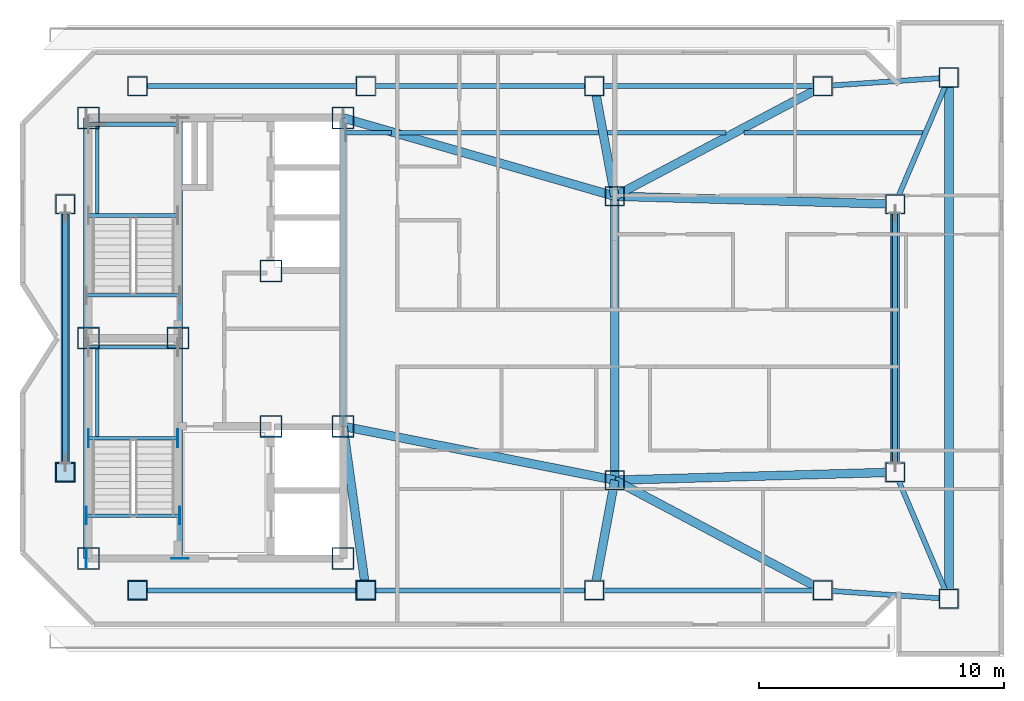
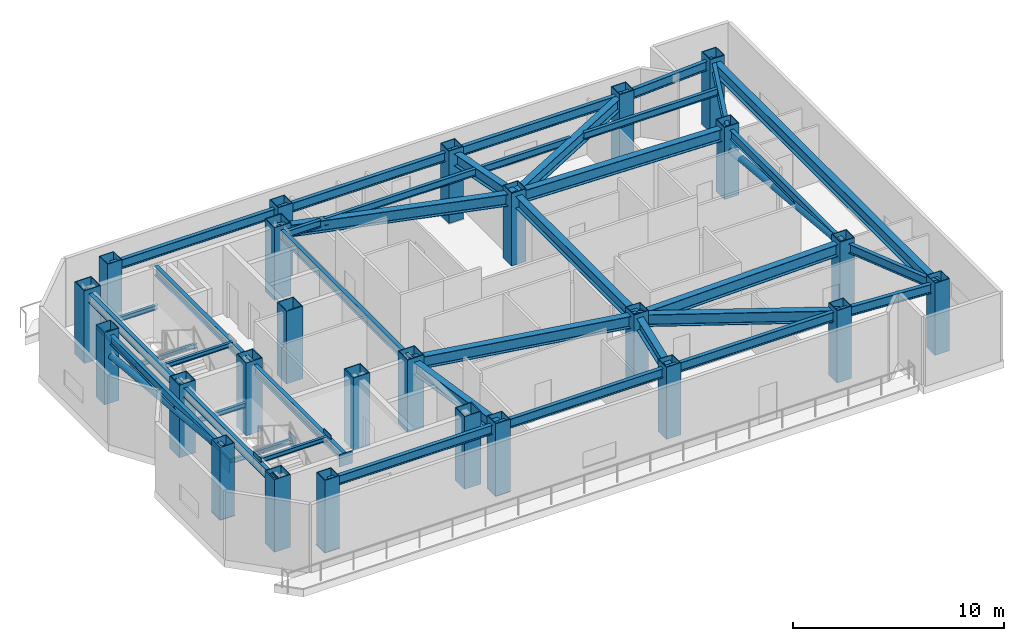
# One storey, part 1 of 10: 40 beams, 25 columns, 9 plates, 2 members.
"""IFC4 building model written with IfcOpenShell, lengths in metres."""

from ifc_helpers import new_model, si_unit, direction, frame, origin, origin_2d, place, context, subcontext, project, spatial, rectangle, hollow_rectangle, hollow_circle, i_section, extrude, material, layer, layer_set, material_profile, profile_set, type_object, element, save


model = new_model("IFC4")

# Units and contexts
model_context = context("Model", 3, precision=1e-05, world=origin(), true_north=direction((0.0, 1.0)))
body_context = subcontext(model_context, "Body", "Model", "MODEL_VIEW")
ifc_project = project(units=[si_unit("LENGTHUNIT", "METRE"), si_unit("AREAUNIT", "SQUARE_METRE"), si_unit("VOLUMEUNIT", "CUBIC_METRE"), si_unit("PLANEANGLEUNIT", "RADIAN"), si_unit("MASSUNIT", "GRAM", prefix="KILO")], contexts=[model_context])

# Site, building, storey
site_placement = place(None, origin())
site = spatial("IfcSite", under=ifc_project, at=site_placement, CompositionType="ELEMENT")
building_placement = place(site_placement, origin())
building = spatial("IfcBuilding", under=site, at=building_placement, Name="Khamvora Tower", CompositionType="ELEMENT")
storey_placement = place(building_placement, frame((0.0, 0.0, 294.64990234375)))
storey = spatial("IfcBuildingStorey", under=building, at=storey_placement, Name="L75", CompositionType="ELEMENT", Elevation=294.64990234375)

# Columns
ifc_material_1 = material(Name="Steel S355", Category="steel")
ifc_material_profile_1 = material_profile(ifc_material_1, hollow_rectangle(XDim=0.800048828125, YDim=0.800048828125, WallThickness=0.0400390625, at=origin_2d()), Name="BOX800x800x40")
ifc_profile_set_1 = profile_set([ifc_material_profile_1], Name="Steel S355")
column_type_1 = type_object("IfcColumnType", Name="COL-BOX800", PredefinedType="COLUMN", material=ifc_profile_set_1)
for number, where, z_axis, x_axis, name in (
    (1, (31.0, 17.699951171875, 0.025146484375), (0.0, 0.0, 1.0), (1.0, 0.0, 0.0), "L75 structural frame column S1"),
    (2, (40.3330078125, 17.699951171875, 0.025146484375), (0.0, 0.0, 1.0), (1.0, 0.0, 0.0), "L75 structural frame column S2"),
    (3, (49.6669921875, 17.699951171875, 0.025146484375), (0.0, 0.0, 1.0), (1.0, 0.0, 0.0), "L75 structural frame column S3"),
    (4, (59.0, 17.699951171875, 0.025146484375), (0.0, 0.0, 1.0), (1.0, 0.0, 0.0), "L75 structural frame column S4"),
    (5, (31.0, 38.300048828125, 0.025146484375), (0.0, 0.0, 1.0), (1.0, 0.0, 0.0), "L75 structural frame column N1"),
    (6, (40.3330078125, 38.300048828125, 0.025146484375), (0.0, 0.0, 1.0), (1.0, 0.0, 0.0), "L75 structural frame column N2"),
    (7, (49.6669921875, 38.300048828125, 0.025146484375), (0.0, 0.0, 1.0), (1.0, 0.0, 0.0), "L75 structural frame column N3"),
    (8, (59.0, 38.300048828125, 0.025146484375), (0.0, 0.0, 1.0), (1.0, 0.0, 0.0), "L75 structural frame column N4"),
    (9, (28.050048828125, 22.52490234375, 0.025146484375), (0.0, 0.0, 1.0), (1.0, 0.0, 0.0), "L75 structural frame column W1"),
    (10, (28.050048828125, 33.47509765625, 0.025146484375), (0.0, 0.0, 1.0), (1.0, 0.0, 0.0), "L75 structural frame column W2"),
    (11, (61.949951171875, 22.52490234375, 0.025146484375), (0.0, 0.0, 1.0), (1.0, 0.0, 0.0), "L75 structural frame column E1"),
    (12, (61.949951171875, 33.47509765625, 0.025146484375), (0.0, 0.0, 1.0), (1.0, 0.0, 0.0), "L75 structural frame column E2"),
):
    element("IfcColumn", number, at=place(storey_placement, frame(where, z_axis=z_axis, x_axis=x_axis)), inside=storey, type_object=column_type_1, Name=name, PredefinedType="COLUMN", context=body_context, shape_type="SweptSolid", body=[
        extrude(hollow_rectangle(XDim=0.800048828125, YDim=0.800048828125, WallThickness=0.0400390625, at=origin_2d()), origin(), (0.0, 0.0, 1.0), 4.175048828125),
    ])
for number, where, z_axis, x_axis, name in (
    (13, (50.5, 22.199951171875, 0.0), (0.0, 0.0, 1.0), (1.0, 0.0, 0.0), "L75 structural frame column M1"),
    (14, (50.5, 33.800048828125, 0.0), (0.0, 0.0, 1.0), (1.0, 0.0, 0.0), "L75 structural frame column M2"),
):
    element("IfcColumn", number, at=place(storey_placement, frame(where, z_axis=z_axis, x_axis=x_axis)), inside=storey, type_object=column_type_1, Name=name, PredefinedType="COLUMN", context=body_context, shape_type="SweptSolid", body=[
        extrude(hollow_rectangle(XDim=0.800048828125, YDim=0.800048828125, WallThickness=0.0400390625, at=origin_2d()), origin(), (0.0, 0.0, 1.0), 4.2001953125),
    ])
for number, where, z_axis, x_axis, name in (
    (15, (64.14990234375, 17.35009765625, 0.025146484375), (0.0, 0.0, 1.0), (1.0, 0.0, 0.0), "L75 structural frame column EC1"),
    (16, (64.14990234375, 38.64990234375, 0.025146484375), (0.0, 0.0, 1.0), (1.0, 0.0, 0.0), "L75 structural frame column EC2"),
):
    element("IfcColumn", number, at=place(storey_placement, frame(where, z_axis=z_axis, x_axis=x_axis)), inside=storey, type_object=column_type_1, Name=name, PredefinedType="COLUMN", context=body_context, shape_type="SweptSolid", body=[
        extrude(hollow_rectangle(XDim=0.800048828125, YDim=0.800048828125, WallThickness=0.0400390625, at=origin_2d()), origin(), (0.0, 0.0, 1.0), 4.175048828125),
    ])
ifc_material_2 = material(Name="Structural Steel S460ML", Category="steel")
ifc_material_profile_2 = material_profile(ifc_material_2, hollow_rectangle(XDim=0.89990234375, YDim=0.89990234375, WallThickness=0.044921875, at=origin_2d()), Name="BOX900x900x45")
ifc_profile_set_2 = profile_set([ifc_material_profile_2], Name="Structural Steel S460ML")
column_type_2 = type_object("IfcColumnType", Name="COL-SC-BOX900", PredefinedType="COLUMN", material=ifc_profile_set_2)
for number, where, z_axis, x_axis, name in (
    (17, (29.0, 19.0, 0.0), (0.0, 0.0, 1.0), (1.0, 0.0, 0.0), "L75 plumb core spine column SC1"),
    (18, (32.64990234375, 28.0, 0.0), (0.0, 0.0, 1.0), (1.0, 0.0, 0.0), "L75 plumb core spine column SC2"),
    (19, (39.39990234375, 19.0, 0.0), (0.0, 0.0, 1.0), (1.0, 0.0, 0.0), "L75 plumb core spine column SC3"),
    (20, (29.0, 28.0, 0.0), (0.0, 0.0, 1.0), (1.0, 0.0, 0.0), "L75 plumb core spine column SC4"),
    (21, (36.449951171875, 24.39990234375, 0.0), (0.0, 0.0, 1.0), (1.0, 0.0, 0.0), "L75 plumb core spine column SC5"),
    (22, (39.39990234375, 24.39990234375, 0.0), (0.0, 0.0, 1.0), (1.0, 0.0, 0.0), "L75 plumb core spine column SC6"),
    (23, (29.0, 37.0, 0.0), (0.0, 0.0, 1.0), (1.0, 0.0, 0.0), "L75 plumb core spine column SC7"),
    (24, (36.449951171875, 30.75, 0.0), (0.0, 0.0, 1.0), (1.0, 0.0, 0.0), "L75 plumb core spine column SC8"),
    (25, (39.39990234375, 37.0, 0.0), (0.0, 0.0, 1.0), (1.0, 0.0, 0.0), "L75 plumb core spine column SC9"),
):
    element("IfcColumn", number, at=place(storey_placement, frame(where, z_axis=z_axis, x_axis=x_axis)), inside=storey, type_object=column_type_2, Name=name, PredefinedType="COLUMN", context=body_context, shape_type="SweptSolid", body=[
        extrude(hollow_rectangle(XDim=0.89990234375, YDim=0.89990234375, WallThickness=0.044921875, at=origin_2d()), origin(), (0.0, 0.0, 1.0), 4.2001953125),
    ])

# Beams
ifc_material_profile_3 = material_profile(ifc_material_1, i_section(OverallWidth=0.177978515625, OverallDepth=0.406982421875, WebThickness=0.008056640625, FlangeThickness=0.012939453125, FilletRadius=0.010009765625, at=origin_2d()), Name="W410x60")
ifc_profile_set_3 = profile_set([ifc_material_profile_3], Name="Steel S355")
beam_type_1 = type_object("IfcBeamType", Name="BM-JS-W410x60", PredefinedType="JOIST", material=ifc_profile_set_3)
beam_1_placement = place(storey_placement, frame((39.4990234375, 36.39990234375, 3.7470703125), z_axis=(1.0, 0.0, 0.0), x_axis=(0.0, 1.0, 0.0)))
element("IfcBeam", 26, at=beam_1_placement, inside=storey, type_object=beam_type_1, Name="L75 secondary floor joist 04", PredefinedType="JOIST", context=body_context, shape_type="SweptSolid", body=[
    extrude(i_section(OverallWidth=0.177978515625, OverallDepth=0.406982421875, WebThickness=0.008056640625, FlangeThickness=0.012939453125, FilletRadius=0.010009765625, at=origin_2d()), origin(), (0.0, 0.0, 1.0), 1.886962890625),
])
beam_2_placement = place(storey_placement, frame((41.575927734375, 36.39990234375, 3.7470703125), z_axis=(1.0, 0.0, 0.0), x_axis=(0.0, 1.0, 0.0)))
element("IfcBeam", 27, at=beam_2_placement, inside=storey, type_object=beam_type_1, Name="L75 secondary floor joist 05", PredefinedType="JOIST", context=body_context, shape_type="SweptSolid", body=[
    extrude(i_section(OverallWidth=0.177978515625, OverallDepth=0.406982421875, WebThickness=0.008056640625, FlangeThickness=0.012939453125, FilletRadius=0.010009765625, at=origin_2d()), origin(), (0.0, 0.0, 1.0), 8.26708984375),
])
beam_3_placement = place(storey_placement, frame((50.194091796875, 36.39990234375, 3.7470703125), z_axis=(1.0, 0.0, 0.0), x_axis=(0.0, 1.0, 0.0)))
element("IfcBeam", 28, at=beam_3_placement, inside=storey, type_object=beam_type_1, Name="L75 secondary floor joist 06", PredefinedType="JOIST", context=body_context, shape_type="SweptSolid", body=[
    extrude(i_section(OverallWidth=0.177978515625, OverallDepth=0.406982421875, WebThickness=0.008056640625, FlangeThickness=0.012939453125, FilletRadius=0.010009765625, at=origin_2d()), origin(), (0.0, 0.0, 1.0), 4.843017578125),
])
beam_4_placement = place(storey_placement, frame((55.784912109375, 36.39990234375, 3.7470703125), z_axis=(1.0, 0.0, 0.0), x_axis=(0.0, 1.0, 0.0)))
element("IfcBeam", 29, at=beam_4_placement, inside=storey, type_object=beam_type_1, Name="L75 secondary floor joist 07", PredefinedType="JOIST", context=body_context, shape_type="SweptSolid", body=[
    extrude(i_section(OverallWidth=0.177978515625, OverallDepth=0.406982421875, WebThickness=0.008056640625, FlangeThickness=0.012939453125, FilletRadius=0.010009765625, at=origin_2d()), origin(), (0.0, 0.0, 1.0), 7.300048828125),
])
ifc_material_profile_4 = material_profile(ifc_material_1, i_section(OverallWidth=0.14697265625, OverallDepth=0.261962890625, WebThickness=0.007080078125, FlangeThickness=0.010986328125, FilletRadius=0.008056640625, at=origin_2d()), Name="W250x39")
ifc_profile_set_4 = profile_set([ifc_material_profile_4], Name="Steel S355")
beam_type_2 = type_object("IfcBeamType", Name="BM-LN-W250x39", PredefinedType="LINTEL", material=ifc_profile_set_4)
for number, where, z_axis, x_axis, name in (
    (30, (29.0, 23.9150390625, 1.76904296875), (1.0, 0.0, 0.0), (0.0, 1.0, 0.0), "L75 ST-01 half-landing support beam 1.1"),
    (31, (29.0, 27.6298828125, 1.76904296875), (1.0, 0.0, 0.0), (0.0, 1.0, 0.0), "L75 ST-01 half-landing support beam 1.2"),
):
    element("IfcBeam", number, at=place(storey_placement, frame(where, z_axis=z_axis, x_axis=x_axis)), inside=storey, type_object=beam_type_2, Name=name, PredefinedType="LINTEL", context=body_context, shape_type="SweptSolid", body=[
        extrude(i_section(OverallWidth=0.14697265625, OverallDepth=0.261962890625, WebThickness=0.007080078125, FlangeThickness=0.010986328125, FilletRadius=0.008056640625, at=origin_2d()), origin(), (0.0, 0.0, 1.0), 3.64990234375),
    ])
beam_5_placement = place(storey_placement, frame((29.35009765625, 23.9150390625, 1.76904296875), z_axis=(0.0, 1.0, 0.0), x_axis=(-1.0, 0.0, 0.0)))
element("IfcBeam", 32, at=beam_5_placement, inside=storey, type_object=beam_type_2, Name="L75 ST-01 half-landing edge stringer 1", PredefinedType="LINTEL", context=body_context, shape_type="SweptSolid", body=[
    extrude(i_section(OverallWidth=0.14697265625, OverallDepth=0.261962890625, WebThickness=0.007080078125, FlangeThickness=0.010986328125, FilletRadius=0.008056640625, at=origin_2d()), origin(), (0.0, 0.0, 1.0), 3.71484375),
])
for number, where, z_axis, x_axis, name in (
    (33, (29.0, 33.014892578125, 1.76904296875), (1.0, 0.0, 0.0), (0.0, 1.0, 0.0), "L75 ST-02 half-landing support beam 1.1"),
    (34, (29.0, 36.72998046875, 1.76904296875), (1.0, 0.0, 0.0), (0.0, 1.0, 0.0), "L75 ST-02 half-landing support beam 1.2"),
):
    element("IfcBeam", number, at=place(storey_placement, frame(where, z_axis=z_axis, x_axis=x_axis)), inside=storey, type_object=beam_type_2, Name=name, PredefinedType="LINTEL", context=body_context, shape_type="SweptSolid", body=[
        extrude(i_section(OverallWidth=0.14697265625, OverallDepth=0.261962890625, WebThickness=0.007080078125, FlangeThickness=0.010986328125, FilletRadius=0.008056640625, at=origin_2d()), origin(), (0.0, 0.0, 1.0), 3.64990234375),
    ])
beam_6_placement = place(storey_placement, frame((29.35009765625, 33.014892578125, 1.76904296875), z_axis=(0.0, 1.0, 0.0), x_axis=(-1.0, 0.0, 0.0)))
element("IfcBeam", 35, at=beam_6_placement, inside=storey, type_object=beam_type_2, Name="L75 ST-02 half-landing edge stringer 1", PredefinedType="LINTEL", context=body_context, shape_type="SweptSolid", body=[
    extrude(i_section(OverallWidth=0.14697265625, OverallDepth=0.261962890625, WebThickness=0.007080078125, FlangeThickness=0.010986328125, FilletRadius=0.008056640625, at=origin_2d()), origin(), (0.0, 0.0, 1.0), 3.715087890625),
])
for number, where, z_axis, x_axis, name in (
    (36, (28.89990234375, 20.75, 3.82421875), (1.0, 0.0, 0.0), (0.0, 1.0, 0.0), "L75 exit stair ST-01 landing trimmer beam"),
    (37, (28.89990234375, 29.75, 3.82421875), (1.0, 0.0, 0.0), (0.0, 1.0, 0.0), "L75 exit stair ST-02 landing trimmer beam"),
):
    element("IfcBeam", number, at=place(storey_placement, frame(where, z_axis=z_axis, x_axis=x_axis)), inside=storey, type_object=beam_type_2, Name=name, PredefinedType="LINTEL", context=body_context, shape_type="SweptSolid", body=[
        extrude(i_section(OverallWidth=0.14697265625, OverallDepth=0.261962890625, WebThickness=0.007080078125, FlangeThickness=0.010986328125, FilletRadius=0.008056640625, at=origin_2d()), origin(), (0.0, 0.0, 1.0), 3.830078125),
    ])
ifc_material_profile_5 = material_profile(ifc_material_1, i_section(OverallWidth=0.35498046875, OverallDepth=0.695068359375, WebThickness=0.014892578125, FlangeThickness=0.02490234375, FilletRadius=0.01611328125, at=origin_2d()), Name="W690x217")
ifc_profile_set_5 = profile_set([ifc_material_profile_5], Name="Steel S355")
beam_type_3 = type_object("IfcBeamType", Name="BM-PG-W690x217", PredefinedType="BEAM", material=ifc_profile_set_5)
beam_7_placement = place(storey_placement, frame((50.5, 22.199951171875, 3.60205078125), z_axis=(0.0, 1.0, 0.0), x_axis=(-1.0, 0.0, 0.0)))
element("IfcBeam", 38, at=beam_7_placement, inside=storey, type_object=beam_type_3, Name="L75 longitudinal frame girder M1-M2", PredefinedType="BEAM", context=body_context, shape_type="SweptSolid", body=[
    extrude(i_section(OverallWidth=0.35498046875, OverallDepth=0.695068359375, WebThickness=0.014892578125, FlangeThickness=0.02490234375, FilletRadius=0.01611328125, at=origin_2d()), origin(), (0.0, 0.0, 1.0), 11.60009765625),
])
beam_8_placement = place(storey_placement, frame((64.14990234375, 17.35009765625, 3.60205078125), z_axis=(0.0, 1.0, 0.0), x_axis=(-1.0, 0.0, 0.0)))
element("IfcBeam", 39, at=beam_8_placement, inside=storey, type_object=beam_type_3, Name="L75 longitudinal frame girder EC1-EC2", PredefinedType="BEAM", context=body_context, shape_type="SweptSolid", body=[
    extrude(i_section(OverallWidth=0.35498046875, OverallDepth=0.695068359375, WebThickness=0.014892578125, FlangeThickness=0.02490234375, FilletRadius=0.01611328125, at=origin_2d()), origin(), (0.0, 0.0, 1.0), 21.2998046875),
])
beam_9_placement = place(storey_placement, frame((39.39990234375, 24.39990234375, 3.60205078125), z_axis=(0.1379391601, -0.990440703985, 0.0), x_axis=(0.990440703985, 0.1379391601, 0.0)))
element("IfcBeam", 40, at=beam_9_placement, inside=storey, type_object=beam_type_3, Name="L75 primary floor girder S2", PredefinedType="BEAM", context=body_context, shape_type="SweptSolid", body=[
    extrude(i_section(OverallWidth=0.35498046875, OverallDepth=0.695068359375, WebThickness=0.014892578125, FlangeThickness=0.02490234375, FilletRadius=0.01611328125, at=origin_2d()), origin(), (0.0, 0.0, 1.0), 6.7646484375),
])
beam_10_placement = place(storey_placement, frame((50.5, 22.199951171875, 3.60205078125), z_axis=(-0.182020488605, -0.983294737974, 0.0), x_axis=(0.983294737974, -0.182020488605, 0.0)))
element("IfcBeam", 41, at=beam_10_placement, inside=storey, type_object=beam_type_3, Name="L75 primary floor girder S3", PredefinedType="BEAM", context=body_context, shape_type="SweptSolid", body=[
    extrude(i_section(OverallWidth=0.35498046875, OverallDepth=0.695068359375, WebThickness=0.014892578125, FlangeThickness=0.02490234375, FilletRadius=0.01611328125, at=origin_2d()), origin(), (0.0, 0.0, 1.0), 4.576416015625),
])
beam_11_placement = place(storey_placement, frame((50.5, 22.199951171875, 3.60205078125), z_axis=(0.883787916347, -0.467887720419, 0.0), x_axis=(0.467887720419, 0.883787916347, 0.0)))
element("IfcBeam", 42, at=beam_11_placement, inside=storey, type_object=beam_type_3, Name="L75 primary floor girder S4", PredefinedType="BEAM", context=body_context, shape_type="SweptSolid", body=[
    extrude(i_section(OverallWidth=0.35498046875, OverallDepth=0.695068359375, WebThickness=0.014892578125, FlangeThickness=0.02490234375, FilletRadius=0.01611328125, at=origin_2d()), origin(), (0.0, 0.0, 1.0), 9.61767578125),
])
beam_12_placement = place(storey_placement, frame((50.5, 33.800048828125, 3.60205078125), z_axis=(-0.182020488605, 0.983294737974, 0.0), x_axis=(-0.983294737974, -0.182020488605, 0.0)))
element("IfcBeam", 43, at=beam_12_placement, inside=storey, type_object=beam_type_3, Name="L75 primary floor girder N3", PredefinedType="BEAM", context=body_context, shape_type="SweptSolid", body=[
    extrude(i_section(OverallWidth=0.35498046875, OverallDepth=0.695068359375, WebThickness=0.014892578125, FlangeThickness=0.02490234375, FilletRadius=0.01611328125, at=origin_2d()), origin(), (0.0, 0.0, 1.0), 4.576416015625),
])
beam_13_placement = place(storey_placement, frame((50.5, 33.800048828125, 3.60205078125), z_axis=(0.883787916347, 0.467887720419, 0.0), x_axis=(-0.467887720419, 0.883787916347, 0.0)))
element("IfcBeam", 44, at=beam_13_placement, inside=storey, type_object=beam_type_3, Name="L75 primary floor girder N4", PredefinedType="BEAM", context=body_context, shape_type="SweptSolid", body=[
    extrude(i_section(OverallWidth=0.35498046875, OverallDepth=0.695068359375, WebThickness=0.014892578125, FlangeThickness=0.02490234375, FilletRadius=0.01611328125, at=origin_2d()), origin(), (0.0, 0.0, 1.0), 9.61767578125),
])
for number, where, z_axis, x_axis, name in (
    (45, (50.5, 22.199951171875, 3.60205078125), (0.999597527046, 0.0283687138, 0.0), (-0.0283687138, 0.999597527046, 0.0), "L75 primary floor girder E1"),
    (46, (50.5, 33.800048828125, 3.60205078125), (0.999597527046, -0.0283687138, 0.0), (0.0283687138, 0.999597527046, 0.0), "L75 primary floor girder E2"),
):
    element("IfcBeam", number, at=place(storey_placement, frame(where, z_axis=z_axis, x_axis=x_axis)), inside=storey, type_object=beam_type_3, Name=name, PredefinedType="BEAM", context=body_context, shape_type="SweptSolid", body=[
        extrude(i_section(OverallWidth=0.35498046875, OverallDepth=0.695068359375, WebThickness=0.014892578125, FlangeThickness=0.02490234375, FilletRadius=0.01611328125, at=origin_2d()), origin(), (0.0, 0.0, 1.0), 11.45458984375),
    ])
beam_14_placement = place(storey_placement, frame((39.39990234375, 24.39990234375, 3.60205078125), z_axis=(0.980920240909, -0.194410598927, 0.0), x_axis=(0.194410598927, 0.980920240909, 0.0)))
element("IfcBeam", 47, at=beam_14_placement, inside=storey, type_object=beam_type_3, Name="L75 primary floor girder M1", PredefinedType="BEAM", context=body_context, shape_type="SweptSolid", body=[
    extrude(i_section(OverallWidth=0.35498046875, OverallDepth=0.695068359375, WebThickness=0.014892578125, FlangeThickness=0.02490234375, FilletRadius=0.01611328125, at=origin_2d()), origin(), (0.0, 0.0, 1.0), 11.31591796875),
])
beam_15_placement = place(storey_placement, frame((39.39990234375, 37.0, 3.60205078125), z_axis=(0.960869684076, -0.277000812677, 0.0), x_axis=(0.277000812677, 0.960869684076, 0.0)))
element("IfcBeam", 48, at=beam_15_placement, inside=storey, type_object=beam_type_3, Name="L75 primary floor girder M2", PredefinedType="BEAM", context=body_context, shape_type="SweptSolid", body=[
    extrude(i_section(OverallWidth=0.35498046875, OverallDepth=0.695068359375, WebThickness=0.014892578125, FlangeThickness=0.02490234375, FilletRadius=0.01611328125, at=origin_2d()), origin(), (0.0, 0.0, 1.0), 11.55224609375),
])
ifc_material_profile_6 = material_profile(ifc_material_1, i_section(OverallWidth=0.208984375, OverallDepth=0.532958984375, WebThickness=0.010009765625, FlangeThickness=0.01611328125, FilletRadius=0.013916015625, at=origin_2d()), Name="W530x92")
ifc_profile_set_6 = profile_set([ifc_material_profile_6], Name="Steel S355")
beam_type_4 = type_object("IfcBeamType", Name="BM-SP-W530x92", PredefinedType="SPANDREL", material=ifc_profile_set_6)
beam_16_placement = place(storey_placement, frame((31.0, 17.699951171875, 3.68408203125), z_axis=(1.0, 0.0, 0.0), x_axis=(0.0, 1.0, 0.0)))
element("IfcBeam", 49, at=beam_16_placement, inside=storey, type_object=beam_type_4, Name="L75 perimeter spandrel beam S1-S2", PredefinedType="SPANDREL", context=body_context, shape_type="SweptSolid", body=[
    extrude(i_section(OverallWidth=0.208984375, OverallDepth=0.532958984375, WebThickness=0.010009765625, FlangeThickness=0.01611328125, FilletRadius=0.013916015625, at=origin_2d()), origin(), (0.0, 0.0, 1.0), 9.3330078125),
])
beam_17_placement = place(storey_placement, frame((40.3330078125, 17.699951171875, 3.68408203125), z_axis=(1.0, 0.0, 0.0), x_axis=(0.0, 1.0, 0.0)))
element("IfcBeam", 50, at=beam_17_placement, inside=storey, type_object=beam_type_4, Name="L75 perimeter spandrel beam S2-S3", PredefinedType="SPANDREL", context=body_context, shape_type="SweptSolid", body=[
    extrude(i_section(OverallWidth=0.208984375, OverallDepth=0.532958984375, WebThickness=0.010009765625, FlangeThickness=0.01611328125, FilletRadius=0.013916015625, at=origin_2d()), origin(), (0.0, 0.0, 1.0), 9.333984375),
])
beam_18_placement = place(storey_placement, frame((49.6669921875, 17.699951171875, 3.68408203125), z_axis=(1.0, 0.0, 0.0), x_axis=(0.0, 1.0, 0.0)))
element("IfcBeam", 51, at=beam_18_placement, inside=storey, type_object=beam_type_4, Name="L75 perimeter spandrel beam S3-S4", PredefinedType="SPANDREL", context=body_context, shape_type="SweptSolid", body=[
    extrude(i_section(OverallWidth=0.208984375, OverallDepth=0.532958984375, WebThickness=0.010009765625, FlangeThickness=0.01611328125, FilletRadius=0.013916015625, at=origin_2d()), origin(), (0.0, 0.0, 1.0), 9.3330078125),
])
beam_19_placement = place(storey_placement, frame((59.0, 17.699951171875, 3.68408203125), z_axis=(0.997700441509, -0.067777791442, 0.0), x_axis=(0.067777791442, 0.997700441509, 0.0)))
element("IfcBeam", 52, at=beam_19_placement, inside=storey, type_object=beam_type_4, Name="L75 perimeter spandrel beam S4-EC1", PredefinedType="SPANDREL", context=body_context, shape_type="SweptSolid", body=[
    extrude(i_section(OverallWidth=0.208984375, OverallDepth=0.532958984375, WebThickness=0.010009765625, FlangeThickness=0.01611328125, FilletRadius=0.013916015625, at=origin_2d()), origin(), (0.0, 0.0, 1.0), 5.161865234375),
])
beam_20_placement = place(storey_placement, frame((64.14990234375, 17.35009765625, 3.68408203125), z_axis=(-0.391239931832, 0.920288713252, 0.0), x_axis=(-0.920288713252, -0.391239931832, 0.0)))
element("IfcBeam", 53, at=beam_20_placement, inside=storey, type_object=beam_type_4, Name="L75 perimeter spandrel beam EC1-E1", PredefinedType="SPANDREL", context=body_context, shape_type="SweptSolid", body=[
    extrude(i_section(OverallWidth=0.208984375, OverallDepth=0.532958984375, WebThickness=0.010009765625, FlangeThickness=0.01611328125, FilletRadius=0.013916015625, at=origin_2d()), origin(), (0.0, 0.0, 1.0), 5.623046875),
])
beam_21_placement = place(storey_placement, frame((61.949951171875, 22.52490234375, 3.68408203125), z_axis=(0.0, 1.0, 0.0), x_axis=(-1.0, 0.0, 0.0)))
element("IfcBeam", 54, at=beam_21_placement, inside=storey, type_object=beam_type_4, Name="L75 perimeter spandrel beam E1-E2", PredefinedType="SPANDREL", context=body_context, shape_type="SweptSolid", body=[
    extrude(i_section(OverallWidth=0.208984375, OverallDepth=0.532958984375, WebThickness=0.010009765625, FlangeThickness=0.01611328125, FilletRadius=0.013916015625, at=origin_2d()), origin(), (0.0, 0.0, 1.0), 10.9501953125),
])
beam_22_placement = place(storey_placement, frame((61.949951171875, 33.47509765625, 3.68408203125), z_axis=(0.391239931832, 0.920288713252, 0.0), x_axis=(-0.920288713252, 0.391239931832, 0.0)))
element("IfcBeam", 55, at=beam_22_placement, inside=storey, type_object=beam_type_4, Name="L75 perimeter spandrel beam E2-EC2", PredefinedType="SPANDREL", context=body_context, shape_type="SweptSolid", body=[
    extrude(i_section(OverallWidth=0.208984375, OverallDepth=0.532958984375, WebThickness=0.010009765625, FlangeThickness=0.01611328125, FilletRadius=0.013916015625, at=origin_2d()), origin(), (0.0, 0.0, 1.0), 5.623046875),
])
beam_23_placement = place(storey_placement, frame((64.14990234375, 38.64990234375, 3.68408203125), z_axis=(-0.997700441509, -0.067777791442, 0.0), x_axis=(0.067777791442, -0.997700441509, 0.0)))
element("IfcBeam", 56, at=beam_23_placement, inside=storey, type_object=beam_type_4, Name="L75 perimeter spandrel beam EC2-N4", PredefinedType="SPANDREL", context=body_context, shape_type="SweptSolid", body=[
    extrude(i_section(OverallWidth=0.208984375, OverallDepth=0.532958984375, WebThickness=0.010009765625, FlangeThickness=0.01611328125, FilletRadius=0.013916015625, at=origin_2d()), origin(), (0.0, 0.0, 1.0), 5.161865234375),
])
beam_24_placement = place(storey_placement, frame((59.0, 38.300048828125, 3.68408203125), z_axis=(-1.0, 0.0, 0.0), x_axis=(0.0, -1.0, 0.0)))
element("IfcBeam", 57, at=beam_24_placement, inside=storey, type_object=beam_type_4, Name="L75 perimeter spandrel beam N4-N3", PredefinedType="SPANDREL", context=body_context, shape_type="SweptSolid", body=[
    extrude(i_section(OverallWidth=0.208984375, OverallDepth=0.532958984375, WebThickness=0.010009765625, FlangeThickness=0.01611328125, FilletRadius=0.013916015625, at=origin_2d()), origin(), (0.0, 0.0, 1.0), 9.3330078125),
])
beam_25_placement = place(storey_placement, frame((49.6669921875, 38.300048828125, 3.68408203125), z_axis=(-1.0, 0.0, 0.0), x_axis=(0.0, -1.0, 0.0)))
element("IfcBeam", 58, at=beam_25_placement, inside=storey, type_object=beam_type_4, Name="L75 perimeter spandrel beam N3-N2", PredefinedType="SPANDREL", context=body_context, shape_type="SweptSolid", body=[
    extrude(i_section(OverallWidth=0.208984375, OverallDepth=0.532958984375, WebThickness=0.010009765625, FlangeThickness=0.01611328125, FilletRadius=0.013916015625, at=origin_2d()), origin(), (0.0, 0.0, 1.0), 9.333984375),
])
beam_26_placement = place(storey_placement, frame((40.3330078125, 38.300048828125, 3.68408203125), z_axis=(-1.0, 0.0, 0.0), x_axis=(0.0, -1.0, 0.0)))
element("IfcBeam", 59, at=beam_26_placement, inside=storey, type_object=beam_type_4, Name="L75 perimeter spandrel beam N2-N1", PredefinedType="SPANDREL", context=body_context, shape_type="SweptSolid", body=[
    extrude(i_section(OverallWidth=0.208984375, OverallDepth=0.532958984375, WebThickness=0.010009765625, FlangeThickness=0.01611328125, FilletRadius=0.013916015625, at=origin_2d()), origin(), (0.0, 0.0, 1.0), 9.3330078125),
])
beam_27_placement = place(storey_placement, frame((28.050048828125, 33.47509765625, 3.68408203125), z_axis=(0.0, -1.0, 0.0), x_axis=(1.0, 0.0, 0.0)))
element("IfcBeam", 60, at=beam_27_placement, inside=storey, type_object=beam_type_4, Name="L75 perimeter spandrel beam W2-W1", PredefinedType="SPANDREL", context=body_context, shape_type="SweptSolid", body=[
    extrude(i_section(OverallWidth=0.208984375, OverallDepth=0.532958984375, WebThickness=0.010009765625, FlangeThickness=0.01611328125, FilletRadius=0.013916015625, at=origin_2d()), origin(), (0.0, 0.0, 1.0), 10.9501953125),
])
for number, where, z_axis, x_axis, name in (
    (61, (28.89990234375, 19.0, 3.68408203125), (0.0, 1.0, 0.0), (-1.0, 0.0, 0.0), "L75 core spine girder WS"),
    (62, (28.89990234375, 28.0, 3.68408203125), (0.0, 1.0, 0.0), (-1.0, 0.0, 0.0), "L75 core spine girder WN"),
    (63, (32.72998046875, 19.0, 3.68408203125), (0.0, 1.0, 0.0), (-1.0, 0.0, 0.0), "L75 core spine girder M1S"),
    (64, (32.72998046875, 28.0, 3.68408203125), (0.0, 1.0, 0.0), (-1.0, 0.0, 0.0), "L75 core spine girder M1N"),
):
    element("IfcBeam", number, at=place(storey_placement, frame(where, z_axis=z_axis, x_axis=x_axis)), inside=storey, type_object=beam_type_4, Name=name, PredefinedType="SPANDREL", context=body_context, shape_type="SweptSolid", body=[
        extrude(i_section(OverallWidth=0.208984375, OverallDepth=0.532958984375, WebThickness=0.010009765625, FlangeThickness=0.01611328125, FilletRadius=0.013916015625, at=origin_2d()), origin(), (0.0, 0.0, 1.0), 9.0),
    ])
beam_28_placement = place(storey_placement, frame((39.39990234375, 24.39990234375, 3.68408203125), z_axis=(0.0, 1.0, 0.0), x_axis=(-1.0, 0.0, 0.0)))
element("IfcBeam", 65, at=beam_28_placement, inside=storey, type_object=beam_type_4, Name="L75 core spine girder EN", PredefinedType="SPANDREL", context=body_context, shape_type="SweptSolid", body=[
    extrude(i_section(OverallWidth=0.208984375, OverallDepth=0.532958984375, WebThickness=0.010009765625, FlangeThickness=0.01611328125, FilletRadius=0.013916015625, at=origin_2d()), origin(), (0.0, 0.0, 1.0), 12.60009765625),
])

# Members
ifc_material_profile_7 = material_profile(ifc_material_1, hollow_circle(Radius=0.177978515625, WallThickness=0.013916015625, at=origin_2d()), Name="CHS356x14")
ifc_profile_set_7 = profile_set([ifc_material_profile_7], Name="Steel S355")
member_type = type_object("IfcMemberType", Name="MEM-BR-CHS356", PredefinedType="BRACE", material=ifc_profile_set_7)
for number, where, z_axis, x_axis, name in (
    (66, (28.050048828125, 33.096923828125, 2.715087890625), (0.0, -0.995828047604, 0.091249655366), (1.0, 0.0, 0.0), "L75 perimeter wind brace 1"),
    (67, (61.949951171875, 33.096923828125, 2.715087890625), (0.0, -0.995828047604, 0.091249655366), (1.0, 0.0, 0.0), "L75 perimeter wind brace 2"),
):
    element("IfcMember", number, at=place(storey_placement, frame(where, z_axis=z_axis, x_axis=x_axis)), inside=storey, type_object=member_type, Name=name, PredefinedType="BRACE", context=body_context, shape_type="SweptSolid", body=[
        extrude(hollow_circle(Radius=0.177978515625, WallThickness=0.013916015625, at=origin_2d()), origin(), (0.0, 0.0, 1.0), 10.236572265625),
    ])

# Plates
ifc_layer_1 = layer(ifc_material_1, 0.02490234375)
ifc_layer_set_1 = layer_set([ifc_layer_1], Name="Steel S355")
plate_type_1 = type_object("IfcPlateType", Name="PL-CAP-25", PredefinedType="SHEET", material=ifc_layer_set_1)
for number, where, z_axis, x_axis, name in (
    (68, (31.0, 17.699951171875, -0.000244140625), (0.0, 0.0, 1.0), (1.0, 0.0, 0.0), "L75 hollow section steel end cap plate 0334"),
    (69, (40.330078125, 17.699951171875, -0.000244140625), (0.0, 0.0, 1.0), (1.0, 0.0, 0.0), "L75 hollow section steel end cap plate 0336"),
    (70, (28.050048828125, 22.52001953125, -0.000244140625), (0.0, 0.0, 1.0), (1.0, 0.0, 0.0), "L75 hollow section steel end cap plate 0350"),
):
    element("IfcPlate", number, at=place(storey_placement, frame(where, z_axis=z_axis, x_axis=x_axis)), inside=storey, type_object=plate_type_1, Name=name, PredefinedType="SHEET", context=body_context, shape_type="SweptSolid", body=[
        extrude(rectangle(XDim=0.830078125, YDim=0.830078125, at=origin_2d()), origin(), (0.0, 0.0, 1.0), 0.02490234375),
    ])
ifc_material_3 = material(Name="Steel S460", Category="steel")
ifc_layer_2 = layer(ifc_material_3, 0.034912109375)
ifc_layer_set_2 = layer_set([ifc_layer_2], Name="Steel S460")
plate_type_2 = type_object("IfcPlateType", Name="PL-EMB-35", PredefinedType="SHEET", material=ifc_layer_set_2)
for number, where, z_axis, x_axis, name in (
    (71, (29.0, 23.9150390625, 1.4091796875), (0.0, 0.0, 1.0), (1.0, 0.0, 0.0), "L75 core shear wall cast-in embed plate 2198"),
    (72, (32.64990234375, 23.9150390625, 1.4091796875), (0.0, 0.0, 1.0), (1.0, 0.0, 0.0), "L75 core shear wall cast-in embed plate 2199"),
    (73, (28.89990234375, 19.0, 3.32421875), (0.0, 0.0, 1.0), (1.0, 0.0, 0.0), "L75 core shear wall cast-in embed plate 2209"),
):
    element("IfcPlate", number, at=place(storey_placement, frame(where, z_axis=z_axis, x_axis=x_axis)), inside=storey, type_object=plate_type_2, Name=name, PredefinedType="SHEET", context=body_context, shape_type="SweptSolid", body=[
        extrude(rectangle(XDim=0.034912109375, YDim=0.719970703125, at=origin_2d()), origin(), (0.0, 0.0, 1.0), 0.719970703125),
    ])
plate_placement = place(storey_placement, frame((32.72998046875, 19.0, 3.32421875), z_axis=(0.0, 0.0, 1.0), x_axis=(1.0, 0.0, 0.0)))
element("IfcPlate", 74, at=plate_placement, inside=storey, type_object=plate_type_2, Name="L75 core shear wall cast-in embed plate 2212", PredefinedType="SHEET", context=body_context, shape_type="SweptSolid", body=[
    extrude(rectangle(XDim=0.719970703125, YDim=0.034912109375, at=origin_2d()), origin(), (0.0, 0.0, 1.0), 0.719970703125),
])
for number, where, z_axis, x_axis, name in (
    (75, (28.89990234375, 20.75, 3.46435546875), (0.0, 0.0, 1.0), (1.0, 0.0, 0.0), "L75 core shear wall cast-in embed plate 2215"),
    (76, (32.72998046875, 20.75, 3.46435546875), (0.0, 0.0, 1.0), (1.0, 0.0, 0.0), "L75 core shear wall cast-in embed plate 2216"),
):
    element("IfcPlate", number, at=place(storey_placement, frame(where, z_axis=z_axis, x_axis=x_axis)), inside=storey, type_object=plate_type_2, Name=name, PredefinedType="SHEET", context=body_context, shape_type="SweptSolid", body=[
        extrude(rectangle(XDim=0.034912109375, YDim=0.719970703125, at=origin_2d()), origin(), (0.0, 0.0, 1.0), 0.719970703125),
    ])

save(model, "model.ifc")
